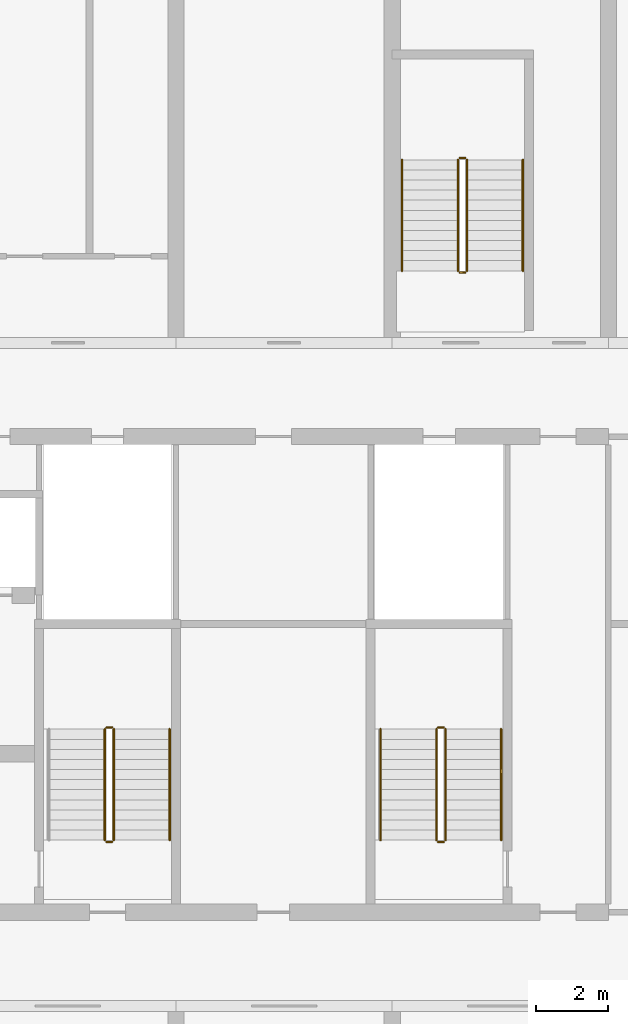
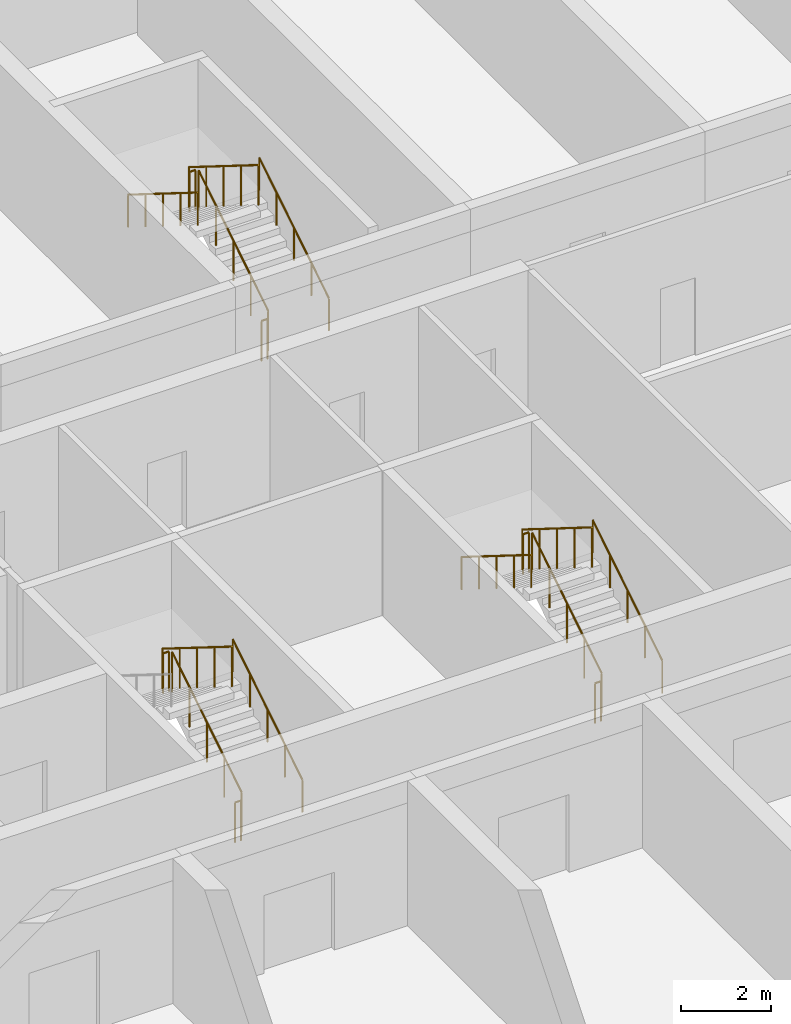
# One storey, part 16 of 16: 17 railings.
"""IFC4 building model written with IfcOpenShell, lengths in metres."""

from ifc_helpers import new_model, si_unit, direction, frame, origin, origin_2d, place, context, subcontext, project, spatial, circle, extrude, material, type_object, element, save


model = new_model("IFC4")

# Units and contexts
model_context = context("Model", 3, precision=1e-05, world=origin(), true_north=direction((0.0, 1.0)))
body_context = subcontext(model_context, "Body", "Model", "MODEL_VIEW")
ifc_project = project(units=[si_unit("LENGTHUNIT", "METRE"), si_unit("AREAUNIT", "SQUARE_METRE"), si_unit("VOLUMEUNIT", "CUBIC_METRE"), si_unit("PLANEANGLEUNIT", "RADIAN"), si_unit("MASSUNIT", "GRAM", prefix="KILO")], contexts=[model_context])

# Site, building, storey
site_placement = place(None, origin())
site = spatial("IfcSite", under=ifc_project, at=site_placement, CompositionType="ELEMENT")
building_placement = place(site_placement, origin())
building = spatial("IfcBuilding", under=site, at=building_placement, Name="Poui Terraces", CompositionType="ELEMENT")
storey_placement = place(building_placement, frame((0.0, 0.0, 15.0)))
storey = spatial("IfcBuildingStorey", under=building, at=storey_placement, Name="L03", CompositionType="ELEMENT", Elevation=15.0)

# Railings
ifc_material_1 = material(Name="Galvanised steel balustrade", Category="steel")
railing_type_1 = type_object("IfcRailingType", Name="STAIR GUARD 1100", PredefinedType="GUARDRAIL", material=ifc_material_1)
railing_1_placement = place(storey_placement, frame((70.27490234375, 16.60009765625, 0.175048828125)))
element("IfcRailing", 1, at=railing_1_placement, inside=storey, type_object=railing_type_1, Name="L03 ST-CE stair guard 1", PredefinedType="GUARDRAIL", context=body_context, shape_type="SweptSolid", body=[
    extrude(circle(Radius=0.02392578125, at=origin_2d()), frame((0.0, 0.0, 1.076171875), z_axis=(0.0, 0.847979421464, 0.530029150871), x_axis=(-1.0, 0.0, 0.0)), (0.0, 0.0, 1.0), 3.632080078125),
    extrude(circle(Radius=0.02099609375, at=origin_2d()), origin(), (0.0, 0.0, 1.0), 1.052001953125),
    extrude(circle(Radius=0.02099609375, at=origin_2d()), frame((0.0, 0.77001953125, 0.481201171875)), (0.0, 0.0, 1.0), 1.052001953125),
    extrude(circle(Radius=0.02099609375, at=origin_2d()), frame((0.0, 1.5400390625, 0.96240234375)), (0.0, 0.0, 1.0), 1.052001953125),
    extrude(circle(Radius=0.02099609375, at=origin_2d()), frame((0.0, 2.309814453125, 1.44384765625)), (0.0, 0.0, 1.0), 1.052001953125),
    extrude(circle(Radius=0.02099609375, at=origin_2d()), frame((0.0, 3.079833984375, 1.925048828125)), (0.0, 0.0, 1.0), 1.052001953125),
])
railing_2_placement = place(storey_placement, frame((70.22509765625, 19.72998046875, 2.10009765625)))
element("IfcRailing", 2, at=railing_2_placement, inside=storey, type_object=railing_type_1, Name="L03 ST-CE stair guard 2", PredefinedType="GUARDRAIL", context=body_context, shape_type="SweptSolid", body=[
    extrude(circle(Radius=0.02392578125, at=origin_2d()), frame((0.0, 0.0, 1.076171875), z_axis=(-1.0, 0.0, 0.0), x_axis=(0.0, -1.0, 0.0)), (0.0, 0.0, 1.0), 0.150146484375),
    extrude(circle(Radius=0.02099609375, at=origin_2d()), origin(), (0.0, 0.0, 1.0), 1.052001953125),
    extrude(circle(Radius=0.02099609375, at=origin_2d()), frame((-0.150146484375, 0.0, 0.0)), (0.0, 0.0, 1.0), 1.052001953125),
])
railing_3_placement = place(storey_placement, frame((70.02490234375, 19.679931640625, 2.27490234375)))
element("IfcRailing", 3, at=railing_3_placement, inside=storey, type_object=railing_type_1, Name="L03 ST-CE stair guard 3", PredefinedType="GUARDRAIL", context=body_context, shape_type="SweptSolid", body=[
    extrude(circle(Radius=0.02392578125, at=origin_2d()), frame((0.0, 0.0, 1.076171875), z_axis=(0.0, -0.847979421464, 0.530029150871), x_axis=(1.0, 0.0, 0.0)), (0.0, 0.0, 1.0), 3.632080078125),
    extrude(circle(Radius=0.02099609375, at=origin_2d()), origin(), (0.0, 0.0, 1.0), 1.052001953125),
    extrude(circle(Radius=0.02099609375, at=origin_2d()), frame((0.0, -0.77001953125, 0.481201171875)), (0.0, 0.0, 1.0), 1.052001953125),
    extrude(circle(Radius=0.02099609375, at=origin_2d()), frame((0.0, -1.5400390625, 0.96240234375)), (0.0, 0.0, 1.0), 1.052001953125),
    extrude(circle(Radius=0.02099609375, at=origin_2d()), frame((0.0, -2.309814453125, 1.44384765625)), (0.0, 0.0, 1.0), 1.052001953125),
    extrude(circle(Radius=0.02099609375, at=origin_2d()), frame((0.0, -3.079833984375, 1.925048828125)), (0.0, 0.0, 1.0), 1.052001953125),
])
railing_4_placement = place(storey_placement, frame((70.22509765625, 16.550048828125, 0.0)))
element("IfcRailing", 4, at=railing_4_placement, inside=storey, type_object=railing_type_1, Name="L03 ST-CE stair guard 4", PredefinedType="GUARDRAIL", context=body_context, shape_type="SweptSolid", body=[
    extrude(circle(Radius=0.02392578125, at=origin_2d()), frame((0.0, 0.0, 1.076171875), z_axis=(-1.0, 0.0, 0.0), x_axis=(0.0, -1.0, 0.0)), (0.0, 0.0, 1.0), 0.150146484375),
    extrude(circle(Radius=0.02099609375, at=origin_2d()), origin(), (0.0, 0.0, 1.0), 1.052001953125),
    extrude(circle(Radius=0.02099609375, at=origin_2d()), frame((-0.150146484375, 0.0, 0.0)), (0.0, 0.0, 1.0), 1.052001953125),
])
railing_5_placement = place(storey_placement, frame((79.47509765625, 16.60009765625, 0.175048828125)))
element("IfcRailing", 5, at=railing_5_placement, inside=storey, type_object=railing_type_1, Name="L03 ST-E stair guard 1", PredefinedType="GUARDRAIL", context=body_context, shape_type="SweptSolid", body=[
    extrude(circle(Radius=0.02392578125, at=origin_2d()), frame((0.0, 0.0, 1.076171875), z_axis=(0.0, 0.847979421464, 0.530029150871), x_axis=(-1.0, 0.0, 0.0)), (0.0, 0.0, 1.0), 3.632080078125),
    extrude(circle(Radius=0.02099609375, at=origin_2d()), origin(), (0.0, 0.0, 1.0), 1.052001953125),
    extrude(circle(Radius=0.02099609375, at=origin_2d()), frame((0.0, 0.77001953125, 0.481201171875)), (0.0, 0.0, 1.0), 1.052001953125),
    extrude(circle(Radius=0.02099609375, at=origin_2d()), frame((0.0, 1.5400390625, 0.96240234375)), (0.0, 0.0, 1.0), 1.052001953125),
    extrude(circle(Radius=0.02099609375, at=origin_2d()), frame((0.0, 2.309814453125, 1.44384765625)), (0.0, 0.0, 1.0), 1.052001953125),
    extrude(circle(Radius=0.02099609375, at=origin_2d()), frame((0.0, 3.079833984375, 1.925048828125)), (0.0, 0.0, 1.0), 1.052001953125),
])
railing_6_placement = place(storey_placement, frame((79.425048828125, 19.72998046875, 2.10009765625)))
element("IfcRailing", 6, at=railing_6_placement, inside=storey, type_object=railing_type_1, Name="L03 ST-E stair guard 2", PredefinedType="GUARDRAIL", context=body_context, shape_type="SweptSolid", body=[
    extrude(circle(Radius=0.02392578125, at=origin_2d()), frame((0.0, 0.0, 1.076171875), z_axis=(-1.0, 0.0, 0.0), x_axis=(0.0, -1.0, 0.0)), (0.0, 0.0, 1.0), 0.150146484375),
    extrude(circle(Radius=0.02099609375, at=origin_2d()), origin(), (0.0, 0.0, 1.0), 1.052001953125),
    extrude(circle(Radius=0.02099609375, at=origin_2d()), frame((-0.150146484375, 0.0, 0.0)), (0.0, 0.0, 1.0), 1.052001953125),
])
railing_7_placement = place(storey_placement, frame((79.22509765625, 19.679931640625, 2.27490234375)))
element("IfcRailing", 7, at=railing_7_placement, inside=storey, type_object=railing_type_1, Name="L03 ST-E stair guard 3", PredefinedType="GUARDRAIL", context=body_context, shape_type="SweptSolid", body=[
    extrude(circle(Radius=0.02392578125, at=origin_2d()), frame((0.0, 0.0, 1.076171875), z_axis=(0.0, -0.847979421464, 0.530029150871), x_axis=(1.0, 0.0, 0.0)), (0.0, 0.0, 1.0), 3.632080078125),
    extrude(circle(Radius=0.02099609375, at=origin_2d()), origin(), (0.0, 0.0, 1.0), 1.052001953125),
    extrude(circle(Radius=0.02099609375, at=origin_2d()), frame((0.0, -0.77001953125, 0.481201171875)), (0.0, 0.0, 1.0), 1.052001953125),
    extrude(circle(Radius=0.02099609375, at=origin_2d()), frame((0.0, -1.5400390625, 0.96240234375)), (0.0, 0.0, 1.0), 1.052001953125),
    extrude(circle(Radius=0.02099609375, at=origin_2d()), frame((0.0, -2.309814453125, 1.44384765625)), (0.0, 0.0, 1.0), 1.052001953125),
    extrude(circle(Radius=0.02099609375, at=origin_2d()), frame((0.0, -3.079833984375, 1.925048828125)), (0.0, 0.0, 1.0), 1.052001953125),
])
railing_8_placement = place(storey_placement, frame((79.425048828125, 16.550048828125, 0.0)))
element("IfcRailing", 8, at=railing_8_placement, inside=storey, type_object=railing_type_1, Name="L03 ST-E stair guard 4", PredefinedType="GUARDRAIL", context=body_context, shape_type="SweptSolid", body=[
    extrude(circle(Radius=0.02392578125, at=origin_2d()), frame((0.0, 0.0, 1.076171875), z_axis=(-1.0, 0.0, 0.0), x_axis=(0.0, -1.0, 0.0)), (0.0, 0.0, 1.0), 0.150146484375),
    extrude(circle(Radius=0.02099609375, at=origin_2d()), origin(), (0.0, 0.0, 1.0), 1.052001953125),
    extrude(circle(Radius=0.02099609375, at=origin_2d()), frame((-0.150146484375, 0.0, 0.0)), (0.0, 0.0, 1.0), 1.052001953125),
])
railing_9_placement = place(storey_placement, frame((80.074951171875, 32.39990234375, 0.175048828125)))
element("IfcRailing", 9, at=railing_9_placement, inside=storey, type_object=railing_type_1, Name="L03 ST-N2 stair guard 1", PredefinedType="GUARDRAIL", context=body_context, shape_type="SweptSolid", body=[
    extrude(circle(Radius=0.02392578125, at=origin_2d()), frame((0.0, 0.0, 1.076171875), z_axis=(0.0, 0.847998304005, 0.529998940003), x_axis=(-1.0, 0.0, 0.0)), (0.0, 0.0, 1.0), 3.632080078125),
    extrude(circle(Radius=0.02099609375, at=origin_2d()), origin(), (0.0, 0.0, 1.0), 1.052001953125),
    extrude(circle(Radius=0.02099609375, at=origin_2d()), frame((0.0, 0.77001953125, 0.481201171875)), (0.0, 0.0, 1.0), 1.052001953125),
    extrude(circle(Radius=0.02099609375, at=origin_2d()), frame((0.0, 1.5400390625, 0.96240234375)), (0.0, 0.0, 1.0), 1.052001953125),
    extrude(circle(Radius=0.02099609375, at=origin_2d()), frame((0.0, 2.31005859375, 1.44384765625)), (0.0, 0.0, 1.0), 1.052001953125),
    extrude(circle(Radius=0.02099609375, at=origin_2d()), frame((0.0, 3.080078125, 1.925048828125)), (0.0, 0.0, 1.0), 1.052001953125),
])
railing_10_placement = place(storey_placement, frame((80.02490234375, 35.530029296875, 2.10009765625)))
element("IfcRailing", 10, at=railing_10_placement, inside=storey, type_object=railing_type_1, Name="L03 ST-N2 stair guard 2", PredefinedType="GUARDRAIL", context=body_context, shape_type="SweptSolid", body=[
    extrude(circle(Radius=0.02392578125, at=origin_2d()), frame((0.0, 0.0, 1.076171875), z_axis=(-1.0, 0.0, 0.0), x_axis=(0.0, -1.0, 0.0)), (0.0, 0.0, 1.0), 0.14990234375),
    extrude(circle(Radius=0.02099609375, at=origin_2d()), origin(), (0.0, 0.0, 1.0), 1.052001953125),
    extrude(circle(Radius=0.02099609375, at=origin_2d()), frame((-0.14990234375, 0.0, 0.0)), (0.0, 0.0, 1.0), 1.052001953125),
])
railing_11_placement = place(storey_placement, frame((79.824951171875, 35.47998046875, 2.27490234375)))
element("IfcRailing", 11, at=railing_11_placement, inside=storey, type_object=railing_type_1, Name="L03 ST-N2 stair guard 3", PredefinedType="GUARDRAIL", context=body_context, shape_type="SweptSolid", body=[
    extrude(circle(Radius=0.02392578125, at=origin_2d()), frame((0.0, 0.0, 1.076171875), z_axis=(0.0, -0.847998304005, 0.529998940003), x_axis=(1.0, 0.0, 0.0)), (0.0, 0.0, 1.0), 3.632080078125),
    extrude(circle(Radius=0.02099609375, at=origin_2d()), origin(), (0.0, 0.0, 1.0), 1.052001953125),
    extrude(circle(Radius=0.02099609375, at=origin_2d()), frame((0.0, -0.77001953125, 0.481201171875)), (0.0, 0.0, 1.0), 1.052001953125),
    extrude(circle(Radius=0.02099609375, at=origin_2d()), frame((0.0, -1.5400390625, 0.96240234375)), (0.0, 0.0, 1.0), 1.052001953125),
    extrude(circle(Radius=0.02099609375, at=origin_2d()), frame((0.0, -2.31005859375, 1.44384765625)), (0.0, 0.0, 1.0), 1.052001953125),
    extrude(circle(Radius=0.02099609375, at=origin_2d()), frame((0.0, -3.080078125, 1.925048828125)), (0.0, 0.0, 1.0), 1.052001953125),
])
railing_12_placement = place(storey_placement, frame((80.02490234375, 32.35009765625, 0.0)))
element("IfcRailing", 12, at=railing_12_placement, inside=storey, type_object=railing_type_1, Name="L03 ST-N2 stair guard 4", PredefinedType="GUARDRAIL", context=body_context, shape_type="SweptSolid", body=[
    extrude(circle(Radius=0.02392578125, at=origin_2d()), frame((0.0, 0.0, 1.076171875), z_axis=(-1.0, 0.0, 0.0), x_axis=(0.0, -1.0, 0.0)), (0.0, 0.0, 1.0), 0.14990234375),
    extrude(circle(Radius=0.02099609375, at=origin_2d()), origin(), (0.0, 0.0, 1.0), 1.052001953125),
    extrude(circle(Radius=0.02099609375, at=origin_2d()), frame((-0.14990234375, 0.0, 0.0)), (0.0, 0.0, 1.0), 1.052001953125),
])
ifc_material_2 = material(Name="Stainless steel handrail", Category="steel")
railing_type_2 = type_object("IfcRailingType", Name="STAIR HANDRAIL 900", PredefinedType="HANDRAIL", material=ifc_material_2)
for number, where, name in (
    (13, (71.824951171875, 16.60009765625, 0.175048828125), "L03 ST-CE stair handrail 1"),
    (14, (81.02490234375, 16.60009765625, 0.175048828125), "L03 ST-E stair handrail 1"),
):
    element("IfcRailing", number, at=place(storey_placement, frame(where)), inside=storey, type_object=railing_type_2, Name=name, PredefinedType="HANDRAIL", context=body_context, shape_type="SweptSolid", body=[
        extrude(circle(Radius=0.02392578125, at=origin_2d()), frame((0.0, 0.0, 0.8759765625), z_axis=(0.0, 0.847979421464, 0.530029150871), x_axis=(-1.0, 0.0, 0.0)), (0.0, 0.0, 1.0), 3.632080078125),
        extrude(circle(Radius=0.02099609375, at=origin_2d()), origin(), (0.0, 0.0, 1.0), 0.851806640625),
        extrude(circle(Radius=0.02099609375, at=origin_2d()), frame((0.0, 0.77001953125, 0.481201171875)), (0.0, 0.0, 1.0), 0.851806640625),
        extrude(circle(Radius=0.02099609375, at=origin_2d()), frame((0.0, 1.5400390625, 0.96240234375)), (0.0, 0.0, 1.0), 0.851806640625),
        extrude(circle(Radius=0.02099609375, at=origin_2d()), frame((0.0, 2.309814453125, 1.44384765625)), (0.0, 0.0, 1.0), 0.851806640625),
        extrude(circle(Radius=0.02099609375, at=origin_2d()), frame((0.0, 3.079833984375, 1.925048828125)), (0.0, 0.0, 1.0), 0.851806640625),
    ])
railing_13_placement = place(storey_placement, frame((77.675048828125, 19.679931640625, 2.27490234375)))
element("IfcRailing", 15, at=railing_13_placement, inside=storey, type_object=railing_type_2, Name="L03 ST-E stair handrail 2", PredefinedType="HANDRAIL", context=body_context, shape_type="SweptSolid", body=[
    extrude(circle(Radius=0.02392578125, at=origin_2d()), frame((0.0, 0.0, 0.8759765625), z_axis=(0.0, -0.847979421464, 0.530029150871), x_axis=(1.0, 0.0, 0.0)), (0.0, 0.0, 1.0), 3.632080078125),
    extrude(circle(Radius=0.02099609375, at=origin_2d()), origin(), (0.0, 0.0, 1.0), 0.851806640625),
    extrude(circle(Radius=0.02099609375, at=origin_2d()), frame((0.0, -0.77001953125, 0.481201171875)), (0.0, 0.0, 1.0), 0.851806640625),
    extrude(circle(Radius=0.02099609375, at=origin_2d()), frame((0.0, -1.5400390625, 0.96240234375)), (0.0, 0.0, 1.0), 0.851806640625),
    extrude(circle(Radius=0.02099609375, at=origin_2d()), frame((0.0, -2.309814453125, 1.44384765625)), (0.0, 0.0, 1.0), 0.851806640625),
    extrude(circle(Radius=0.02099609375, at=origin_2d()), frame((0.0, -3.079833984375, 1.925048828125)), (0.0, 0.0, 1.0), 0.851806640625),
])
railing_14_placement = place(storey_placement, frame((81.625, 32.39990234375, 0.175048828125)))
element("IfcRailing", 16, at=railing_14_placement, inside=storey, type_object=railing_type_2, Name="L03 ST-N2 stair handrail 1", PredefinedType="HANDRAIL", context=body_context, shape_type="SweptSolid", body=[
    extrude(circle(Radius=0.02392578125, at=origin_2d()), frame((0.0, 0.0, 0.8759765625), z_axis=(0.0, 0.847998304005, 0.529998940003), x_axis=(-1.0, 0.0, 0.0)), (0.0, 0.0, 1.0), 3.632080078125),
    extrude(circle(Radius=0.02099609375, at=origin_2d()), origin(), (0.0, 0.0, 1.0), 0.851806640625),
    extrude(circle(Radius=0.02099609375, at=origin_2d()), frame((0.0, 0.77001953125, 0.481201171875)), (0.0, 0.0, 1.0), 0.851806640625),
    extrude(circle(Radius=0.02099609375, at=origin_2d()), frame((0.0, 1.5400390625, 0.96240234375)), (0.0, 0.0, 1.0), 0.851806640625),
    extrude(circle(Radius=0.02099609375, at=origin_2d()), frame((0.0, 2.31005859375, 1.44384765625)), (0.0, 0.0, 1.0), 0.851806640625),
    extrude(circle(Radius=0.02099609375, at=origin_2d()), frame((0.0, 3.080078125, 1.925048828125)), (0.0, 0.0, 1.0), 0.851806640625),
])
railing_15_placement = place(storey_placement, frame((78.27490234375, 35.47998046875, 2.27490234375)))
element("IfcRailing", 17, at=railing_15_placement, inside=storey, type_object=railing_type_2, Name="L03 ST-N2 stair handrail 2", PredefinedType="HANDRAIL", context=body_context, shape_type="SweptSolid", body=[
    extrude(circle(Radius=0.02392578125, at=origin_2d()), frame((0.0, 0.0, 0.8759765625), z_axis=(0.0, -0.847998304005, 0.529998940003), x_axis=(1.0, 0.0, 0.0)), (0.0, 0.0, 1.0), 3.632080078125),
    extrude(circle(Radius=0.02099609375, at=origin_2d()), origin(), (0.0, 0.0, 1.0), 0.851806640625),
    extrude(circle(Radius=0.02099609375, at=origin_2d()), frame((0.0, -0.77001953125, 0.481201171875)), (0.0, 0.0, 1.0), 0.851806640625),
    extrude(circle(Radius=0.02099609375, at=origin_2d()), frame((0.0, -1.5400390625, 0.96240234375)), (0.0, 0.0, 1.0), 0.851806640625),
    extrude(circle(Radius=0.02099609375, at=origin_2d()), frame((0.0, -2.31005859375, 1.44384765625)), (0.0, 0.0, 1.0), 0.851806640625),
    extrude(circle(Radius=0.02099609375, at=origin_2d()), frame((0.0, -3.080078125, 1.925048828125)), (0.0, 0.0, 1.0), 0.851806640625),
])

save(model, "model.ifc")
